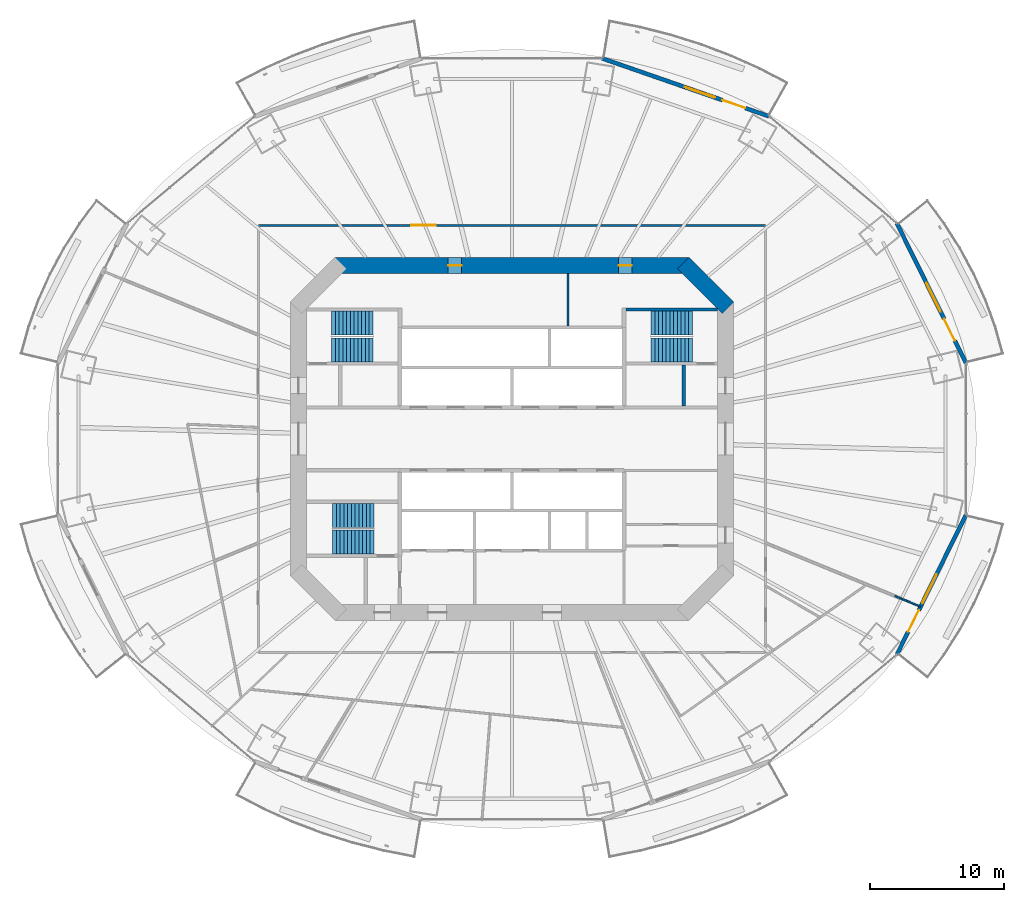
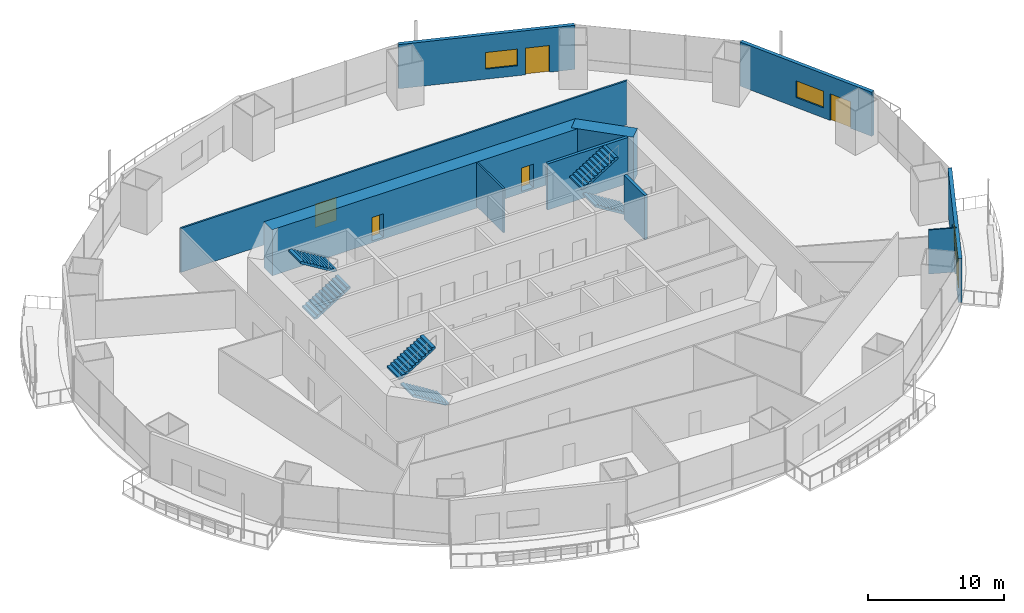
# One storey, part 16 of 22: 10 walls, 6 doors, 6 stair flights, 3 windows, 9 openings, 3 elements without a shape of their own.
"""IFC4 building model written with IfcOpenShell, lengths in metres."""

from ifc_helpers import new_model, si_unit, direction, frame, frame_2d, origin, place, context, subcontext, project, spatial, polyline, rectangle, outline, extrude, material, layer, layer_set, type_object, element, fill, aggregate, save


model = new_model("IFC4")

# Units and contexts
model_context = context("Model", 3, precision=1e-05, world=origin(), true_north=direction((0.0, 1.0)))
body_context = subcontext(model_context, "Body", "Model", "MODEL_VIEW")
ifc_project = project(units=[si_unit("LENGTHUNIT", "METRE"), si_unit("AREAUNIT", "SQUARE_METRE"), si_unit("VOLUMEUNIT", "CUBIC_METRE"), si_unit("PLANEANGLEUNIT", "RADIAN"), si_unit("MASSUNIT", "GRAM", prefix="KILO")], contexts=[model_context])

# Site, building, storey
site_placement = place(None, origin())
site = spatial("IfcSite", under=ifc_project, at=site_placement, CompositionType="ELEMENT")
building_placement = place(site_placement, origin())
building = spatial("IfcBuilding", under=site, at=building_placement, Name="Marenthal Gate Tower", CompositionType="ELEMENT")
storey_placement = place(building_placement, frame((0.0, 0.0, 103.550048828125)))
storey = spatial("IfcBuildingStorey", under=building, at=storey_placement, Name="L21", CompositionType="ELEMENT", Elevation=103.550048828125)

# Wall
ifc_material_1 = material(Name="Concrete 60 MPa", Category="concrete")
ifc_layer_1 = layer(ifc_material_1, 1.199951171875)
ifc_layer_set_1 = layer_set([ifc_layer_1], Name="Core shear wall 1200")
wall_type_1 = type_object("IfcWallType", Name="Core shear wall 1200", PredefinedType="SHEAR", material=ifc_layer_set_1)
wall_1_placement = place(storey_placement, frame((16.17578125, 9.82421875, -0.179931640625), z_axis=(0.0, 0.0, 1.0), x_axis=(-0.707106781187, 0.707106781187, 0.0)))
element("IfcWall", 1, at=wall_1_placement, inside=storey, type_object=wall_type_1, Name="Core wall 03", PredefinedType="SHEAR", context=body_context, shape_type="SweptSolid", body=[
    extrude(rectangle(XDim=4.73974609375, YDim=1.199951171875, at=frame_2d((2.369873046875, 0.0))), origin(), (0.0, 0.0, 1.0), 4.14990234375),
])

# Wall, openings, doors
wall_2_placement = place(storey_placement, frame((13.24853515625, 13.0, -0.179931640625), z_axis=(0.0, 0.0, 1.0), x_axis=(-1.0, 0.0, 0.0)))
wall_2 = element("IfcWall", 2, at=wall_2_placement, inside=storey, type_object=wall_type_1, Name="Core wall 04", PredefinedType="SHEAR", context=body_context, shape_type="SweptSolid", body=[
    extrude(rectangle(XDim=26.4970703125, YDim=1.199951171875, at=frame_2d((13.24853515625, 0.0))), origin(), (0.0, 0.0, 1.0), 4.14990234375),
])
opening_1_placement = place(wall_2_placement, frame((17.0244140625, 0.0, 0.179931640625)))
opening_1 = element("IfcOpeningElement", 3, at=opening_1_placement, cuts=wall_2, Name="Opening D005.01", PredefinedType="OPENING", context=body_context, shape_type="SweptSolid", body=[
    extrude(rectangle(XDim=1.0, YDim=2.10009765625, at=frame_2d((0.5, 1.050048828125))), frame((0.0, 0.60986328125, 0.0), z_axis=(0.0, -1.0, 0.0), x_axis=(1.0, 0.0, 0.0)), (0.0, 0.0, 1.0), 1.219970703125),
])
opening_2_placement = place(wall_2_placement, frame((4.2724609375, 0.0, 0.179931640625)))
opening_2 = element("IfcOpeningElement", 4, at=opening_2_placement, cuts=wall_2, Name="Opening D005.02", PredefinedType="OPENING", context=body_context, shape_type="SweptSolid", body=[
    extrude(rectangle(XDim=1.0, YDim=2.10009765625, at=frame_2d((0.5, 1.050048828125))), frame((0.0, 0.60986328125, 0.0), z_axis=(0.0, -1.0, 0.0), x_axis=(1.0, 0.0, 0.0)), (0.0, 0.0, 1.0), 1.219970703125),
])
ifc_material_2 = material(Name="Steel fire door", Category="steel")
door_type_1 = type_object("IfcDoorType", Name="Fire door FD 45 1000 x 2100", OperationType="NOTDEFINED", PredefinedType="DOOR", material=ifc_material_2)
door_1_placement = place(opening_1_placement, origin())
door_1 = element("IfcDoor", 5, at=door_1_placement, inside=storey, type_object=door_type_1, Name="Door D005.01", OperationType="SINGLE_SWING_RIGHT", OverallHeight=2.10009765625, OverallWidth=1.0, PredefinedType="DOOR", context=body_context, shape_type="SweptSolid", body=[
    extrude(rectangle(XDim=1.0, YDim=2.10009765625, at=frame_2d((0.5, 1.050048828125))), frame((0.0, 0.02490234375, 0.0), z_axis=(0.0, -1.0, 0.0), x_axis=(1.0, 0.0, 0.0)), (0.0, 0.0, 1.0), 0.050048828125),
])
fill(opening_1, door_1)
door_2_placement = place(opening_2_placement, origin())
door_2 = element("IfcDoor", 6, at=door_2_placement, inside=storey, type_object=door_type_1, Name="Door D005.02", OperationType="SINGLE_SWING_RIGHT", OverallHeight=2.10009765625, OverallWidth=1.0, PredefinedType="DOOR", context=body_context, shape_type="SweptSolid", body=[
    extrude(rectangle(XDim=1.0, YDim=2.10009765625, at=frame_2d((0.5, 1.050048828125))), frame((0.0, 0.02490234375, 0.0), z_axis=(0.0, -1.0, 0.0), x_axis=(1.0, 0.0, 0.0)), (0.0, 0.0, 1.0), 0.050048828125),
])
fill(opening_2, door_2)

# Walls
ifc_material_3 = material(Name="Gypsum board on steel studs", Category="steel")
ifc_layer_2 = layer(ifc_material_3, 0.1201171875)
ifc_layer_set_2 = layer_set([ifc_layer_2], Name="Partition 120")
wall_type_2 = type_object("IfcWallType", Name="Partition 120", PredefinedType="PARTITIONING", material=ifc_layer_set_2)
wall_3_placement = place(storey_placement, frame((28.670166015625, -11.76416015625, 0.0), z_axis=(0.0, 0.0, 1.0), x_axis=(0.925143297368, -0.379618070349, 0.0)))
element("IfcWall", 7, at=wall_3_placement, inside=storey, type_object=wall_type_2, Name="Partition wall 67", PredefinedType="PARTITIONING", context=body_context, shape_type="SweptSolid", body=[
    extrude(rectangle(XDim=2.083740234375, YDim=0.1201171875, at=frame_2d((1.0419921875, 0.0))), origin(), (0.0, 0.0, 1.0), 3.969970703125),
])
ifc_material_4 = material(Name="Gypsum board on steel studs", Category="steel")
ifc_layer_3 = layer(ifc_material_4, 0.14990234375)
ifc_layer_set_3 = layer_set([ifc_layer_3], Name="Partition 150")
wall_type_3 = type_object("IfcWallType", Name="Partition 150", PredefinedType="PARTITIONING", material=ifc_layer_set_3)
wall_4_placement = place(storey_placement, frame((4.199951171875, 8.4599609375, 0.0), z_axis=(0.0, 0.0, 1.0), x_axis=(0.0, 1.0, 0.0)))
element("IfcWall", 8, at=wall_4_placement, inside=storey, type_object=wall_type_3, Name="Partition wall 40", PredefinedType="PARTITIONING", context=body_context, shape_type="SweptSolid", body=[
    extrude(rectangle(XDim=3.93994140625, YDim=0.14990234375, at=frame_2d((1.969970703125, 0.0))), origin(), (0.0, 0.0, 1.0), 3.969970703125),
])

# Wall, opening, door
wall_5_placement = place(storey_placement, frame((-19.0, 16.0, 0.0), z_axis=(0.0, 0.0, 1.0), x_axis=(1.0, 0.0, 0.0)))
wall_5 = element("IfcWall", 9, at=wall_5_placement, inside=storey, type_object=wall_type_3, Name="Partition wall 53", PredefinedType="PARTITIONING", context=body_context, shape_type="SweptSolid", body=[
    extrude(rectangle(XDim=38.0, YDim=0.14990234375, at=frame_2d((19.0, 0.0))), origin(), (0.0, 0.0, 1.0), 3.969970703125),
])
opening_3_placement = place(wall_5_placement, frame((11.472900390625, 0.0, 0.0)))
opening_3 = element("IfcOpeningElement", 10, at=opening_3_placement, cuts=wall_5, Name="Opening D014.01", PredefinedType="OPENING", context=body_context, shape_type="SweptSolid", body=[
    extrude(rectangle(XDim=1.800048828125, YDim=2.10009765625, at=frame_2d((0.89990234375, 1.050048828125))), frame((0.0, 0.0849609375, 0.0), z_axis=(0.0, -1.0, 0.0), x_axis=(1.0, 0.0, 0.0)), (0.0, 0.0, 1.0), 0.169921875),
])
ifc_material_5 = material(Name="Timber door", Category="wood")
door_type_2 = type_object("IfcDoorType", Name="Double door 1800 x 2100", OperationType="DOUBLE_DOOR_SINGLE_SWING", PredefinedType="DOOR", material=ifc_material_5)
door_3_placement = place(opening_3_placement, origin())
door_3 = element("IfcDoor", 11, at=door_3_placement, inside=storey, type_object=door_type_2, Name="Door D014.01", OperationType="DOUBLE_DOOR_SINGLE_SWING", OverallHeight=2.10009765625, OverallWidth=1.800048828125, PredefinedType="DOOR", context=body_context, shape_type="SweptSolid", body=[
    extrude(rectangle(XDim=1.800048828125, YDim=2.10009765625, at=frame_2d((0.89990234375, 1.050048828125))), frame((0.0, 0.02490234375, 0.0), z_axis=(0.0, -1.0, 0.0), x_axis=(1.0, 0.0, 0.0)), (0.0, 0.0, 1.0), 0.050048828125),
])
fill(opening_3, door_3)

# Walls
ifc_material_6 = material(Name="Concrete 40 MPa", Category="concrete")
ifc_layer_4 = layer(ifc_material_6, 0.25)
ifc_layer_set_4 = layer_set([ifc_layer_4], Name="Stair enclosure wall 250")
wall_type_4 = type_object("IfcWallType", Name="Stair enclosure wall 250", PredefinedType="STANDARD", material=ifc_layer_set_4)
wall_6_placement = place(storey_placement, frame((12.85009765625, 2.47509765625, 0.0), z_axis=(0.0, 0.0, 1.0), x_axis=(0.0, 1.0, 0.0)))
element("IfcWall", 12, at=wall_6_placement, inside=storey, type_object=wall_type_4, Name="Stair wall 46", PredefinedType="STANDARD", context=body_context, shape_type="SweptSolid", body=[
    extrude(rectangle(XDim=3.0498046875, YDim=0.25, at=frame_2d((1.52490234375, 0.0))), origin(), (0.0, 0.0, 1.0), 3.969970703125),
])
ifc_material_7 = material(Name="Concrete 50 MPa", Category="concrete")
ifc_layer_5 = layer(ifc_material_7, 0.25)
ifc_layer_set_5 = layer_set([ifc_layer_5], Name="Stair shear wall 250")
wall_type_5 = type_object("IfcWallType", Name="Stair shear wall 250", PredefinedType="SHEAR", material=ifc_layer_set_5)
wall_7_placement = place(storey_placement, frame((8.550048828125, 9.699951171875, -0.179931640625), z_axis=(0.0, 0.0, 1.0), x_axis=(1.0, 0.0, 0.0)))
element("IfcWall", 13, at=wall_7_placement, inside=storey, type_object=wall_type_5, Name="Stair wall 27", PredefinedType="SHEAR", context=body_context, shape_type="SweptSolid", body=[
    extrude(rectangle(XDim=6.849853515625, YDim=0.25, at=frame_2d((3.4248046875, 0.0))), origin(), (0.0, 0.0, 1.0), 4.14990234375),
])

# Wall, openings, door, window
ifc_material_8 = material(Name="Terracotta cladding on insulated concrete-block backing", Category="masonry")
ifc_layer_6 = layer(ifc_material_8, 0.300048828125)
ifc_layer_set_6 = layer_set([ifc_layer_6], Name="Terracotta facade wall 300")
wall_type_6 = type_object("IfcWallType", Name="Terracotta facade wall 300", PredefinedType="SOLIDWALL", material=ifc_layer_set_6)
wall_8_placement = place(storey_placement, frame((34.001953125, 5.66796875, 0.0), z_axis=(0.0, 0.0, 1.0), x_axis=(-0.4430961796, 0.896474079728, 0.0)))
wall_8 = element("IfcWall", 14, at=wall_8_placement, inside=storey, type_object=wall_type_6, Name="Terracotta facade wall L21 bay 1", PredefinedType="SOLIDWALL", context=body_context, shape_type="SweptSolid", body=[
    extrude(rectangle(XDim=11.6826171875, YDim=0.300048828125, at=frame_2d((5.84130859375, 0.0))), origin(), (0.0, 0.0, 1.0), 3.969970703125),
])
opening_4_placement = place(wall_8_placement, frame((1.89990234375, 0.0, 0.0)))
opening_4 = element("IfcOpeningElement", 15, at=opening_4_placement, cuts=wall_8, Name="Opening BD-L21-01", PredefinedType="OPENING", context=body_context, shape_type="SweptSolid", body=[
    extrude(rectangle(XDim=1.800048828125, YDim=2.39990234375, at=frame_2d((0.89990234375, 1.199951171875))), frame((0.0, 0.16015625, 0.0), z_axis=(0.0, -1.0, 0.0), x_axis=(1.0, 0.0, 0.0)), (0.0, 0.0, 1.0), 0.320068359375),
])
opening_5_placement = place(wall_8_placement, frame((4.300048828125, 0.0, 0.89990234375)))
opening_5 = element("IfcOpeningElement", 16, at=opening_5_placement, cuts=wall_8, Name="Opening WN1-L21-01", PredefinedType="OPENING", context=body_context, shape_type="SweptSolid", body=[
    extrude(rectangle(XDim=2.39990234375, YDim=1.5, at=frame_2d((1.199951171875, 0.75))), frame((0.0, 0.16015625, 0.0), z_axis=(0.0, -1.0, 0.0), x_axis=(1.0, 0.0, 0.0)), (0.0, 0.0, 1.0), 0.320068359375),
])
ifc_material_9 = material(Name="Aluminium and glass", Category="aluminium")
door_type_3 = type_object("IfcDoorType", Name="Balcony door 1800x2400", OperationType="DOUBLE_DOOR_SINGLE_SWING", PredefinedType="DOOR", material=ifc_material_9)
door_4_placement = place(opening_4_placement, origin())
door_4 = element("IfcDoor", 17, at=door_4_placement, inside=storey, type_object=door_type_3, Name="Balcony door L21 bay 1", OperationType="SINGLE_SWING_LEFT", OverallHeight=2.39990234375, OverallWidth=1.800048828125, PredefinedType="DOOR", context=body_context, shape_type="SweptSolid", body=[
    extrude(rectangle(XDim=1.800048828125, YDim=2.39990234375, at=frame_2d((0.89990234375, 1.199951171875))), frame((0.0, 0.02490234375, 0.0), z_axis=(0.0, -1.0, 0.0), x_axis=(1.0, 0.0, 0.0)), (0.0, 0.0, 1.0), 0.050048828125),
])
fill(opening_4, door_4)
ifc_material_10 = material(Name="Aluminium and glass", Category="aluminium")
window_type = type_object("IfcWindowType", Name="Window 2400x1500", PartitioningType="TRIPLE_PANEL_VERTICAL", PredefinedType="WINDOW", material=ifc_material_10)
window_1_placement = place(opening_5_placement, origin())
window_1 = element("IfcWindow", 18, at=window_1_placement, inside=storey, type_object=window_type, Name="Window L21 bay 1", OverallHeight=1.5, OverallWidth=2.39990234375, PartitioningType="SINGLE_PANEL", PredefinedType="WINDOW", context=body_context, shape_type="SweptSolid", body=[
    extrude(rectangle(XDim=2.39990234375, YDim=1.5, at=frame_2d((1.199951171875, 0.75))), frame((0.0, 0.030029296875, 0.0), z_axis=(0.0, -1.0, 0.0), x_axis=(1.0, 0.0, 0.0)), (0.0, 0.0, 1.0), 0.06005859375),
])
fill(opening_5, window_1)

wall_9_placement = place(storey_placement, frame((19.260498046875, 24.15673828125, 0.0), z_axis=(0.0, 0.0, 1.0), x_axis=(-0.944700030718, 0.327935743647, 0.0)))
wall_9 = element("IfcWall", 19, at=wall_9_placement, inside=storey, type_object=wall_type_6, Name="Terracotta facade wall L21 bay 3", PredefinedType="SOLIDWALL", context=body_context, shape_type="SweptSolid", body=[
    extrude(rectangle(XDim=13.228515625, YDim=0.300048828125, at=frame_2d((6.6142578125, 0.0))), origin(), (0.0, 0.0, 1.0), 3.969970703125),
])
opening_6_placement = place(wall_9_placement, frame((1.89990234375, 0.0, 0.0)))
opening_6 = element("IfcOpeningElement", 20, at=opening_6_placement, cuts=wall_9, Name="Opening BD-L21-03", PredefinedType="OPENING", context=body_context, shape_type="SweptSolid", body=[
    extrude(rectangle(XDim=1.800048828125, YDim=2.39990234375, at=frame_2d((0.89990234375, 1.199951171875))), frame((0.0, 0.16015625, 0.0), z_axis=(0.0, -1.0, 0.0), x_axis=(1.0, 0.0, 0.0)), (0.0, 0.0, 1.0), 0.320068359375),
])
opening_7_placement = place(wall_9_placement, frame((4.300048828125, 0.0, 0.89990234375)))
opening_7 = element("IfcOpeningElement", 21, at=opening_7_placement, cuts=wall_9, Name="Opening WN1-L21-03", PredefinedType="OPENING", context=body_context, shape_type="SweptSolid", body=[
    extrude(rectangle(XDim=2.39990234375, YDim=1.5, at=frame_2d((1.199951171875, 0.75))), frame((0.0, 0.16015625, 0.0), z_axis=(0.0, -1.0, 0.0), x_axis=(1.0, 0.0, 0.0)), (0.0, 0.0, 1.0), 0.320068359375),
])
door_5_placement = place(opening_6_placement, origin())
door_5 = element("IfcDoor", 22, at=door_5_placement, inside=storey, type_object=door_type_3, Name="Balcony door L21 bay 3", OperationType="SINGLE_SWING_LEFT", OverallHeight=2.39990234375, OverallWidth=1.800048828125, PredefinedType="DOOR", context=body_context, shape_type="SweptSolid", body=[
    extrude(rectangle(XDim=1.800048828125, YDim=2.39990234375, at=frame_2d((0.89990234375, 1.199951171875))), frame((0.0, 0.02490234375, 0.0), z_axis=(0.0, -1.0, 0.0), x_axis=(1.0, 0.0, 0.0)), (0.0, 0.0, 1.0), 0.050048828125),
])
fill(opening_6, door_5)
window_2_placement = place(opening_7_placement, origin())
window_2 = element("IfcWindow", 23, at=window_2_placement, inside=storey, type_object=window_type, Name="Window L21 bay 3", OverallHeight=1.5, OverallWidth=2.39990234375, PartitioningType="SINGLE_PANEL", PredefinedType="WINDOW", context=body_context, shape_type="SweptSolid", body=[
    extrude(rectangle(XDim=2.39990234375, YDim=1.5, at=frame_2d((1.199951171875, 0.75))), frame((0.0, 0.030029296875, 0.0), z_axis=(0.0, -1.0, 0.0), x_axis=(1.0, 0.0, 0.0)), (0.0, 0.0, 1.0), 0.06005859375),
])
fill(opening_7, window_2)

wall_10_placement = place(storey_placement, frame((28.825439453125, -16.14111328125, 0.0), z_axis=(0.0, 0.0, 1.0), x_axis=(0.4430961796, 0.896474079728, 0.0)))
wall_10 = element("IfcWall", 24, at=wall_10_placement, inside=storey, type_object=wall_type_6, Name="Terracotta facade wall L21 bay 15", PredefinedType="SOLIDWALL", context=body_context, shape_type="SweptSolid", body=[
    extrude(rectangle(XDim=11.6826171875, YDim=0.300048828125, at=frame_2d((5.84130859375, 0.0))), origin(), (0.0, 0.0, 1.0), 3.969970703125),
])
opening_8_placement = place(wall_10_placement, frame((1.89990234375, 0.0, 0.0)))
opening_8 = element("IfcOpeningElement", 25, at=opening_8_placement, cuts=wall_10, Name="Opening BD-L21-15", PredefinedType="OPENING", context=body_context, shape_type="SweptSolid", body=[
    extrude(rectangle(XDim=1.800048828125, YDim=2.39990234375, at=frame_2d((0.89990234375, 1.199951171875))), frame((0.0, 0.16015625, 0.0), z_axis=(0.0, -1.0, 0.0), x_axis=(1.0, 0.0, 0.0)), (0.0, 0.0, 1.0), 0.320068359375),
])
opening_9_placement = place(wall_10_placement, frame((4.300048828125, 0.0, 0.89990234375)))
opening_9 = element("IfcOpeningElement", 26, at=opening_9_placement, cuts=wall_10, Name="Opening WN1-L21-15", PredefinedType="OPENING", context=body_context, shape_type="SweptSolid", body=[
    extrude(rectangle(XDim=2.39990234375, YDim=1.5, at=frame_2d((1.199951171875, 0.75))), frame((0.0, 0.16015625, 0.0), z_axis=(0.0, -1.0, 0.0), x_axis=(1.0, 0.0, 0.0)), (0.0, 0.0, 1.0), 0.320068359375),
])
door_6_placement = place(opening_8_placement, origin())
door_6 = element("IfcDoor", 27, at=door_6_placement, inside=storey, type_object=door_type_3, Name="Balcony door L21 bay 15", OperationType="SINGLE_SWING_LEFT", OverallHeight=2.39990234375, OverallWidth=1.800048828125, PredefinedType="DOOR", context=body_context, shape_type="SweptSolid", body=[
    extrude(rectangle(XDim=1.800048828125, YDim=2.39990234375, at=frame_2d((0.89990234375, 1.199951171875))), frame((0.0, 0.02490234375, 0.0), z_axis=(0.0, -1.0, 0.0), x_axis=(1.0, 0.0, 0.0)), (0.0, 0.0, 1.0), 0.050048828125),
])
fill(opening_8, door_6)
window_3_placement = place(opening_9_placement, origin())
window_3 = element("IfcWindow", 28, at=window_3_placement, inside=storey, type_object=window_type, Name="Window L21 bay 15", OverallHeight=1.5, OverallWidth=2.39990234375, PartitioningType="SINGLE_PANEL", PredefinedType="WINDOW", context=body_context, shape_type="SweptSolid", body=[
    extrude(rectangle(XDim=2.39990234375, YDim=1.5, at=frame_2d((1.199951171875, 0.75))), frame((0.0, 0.030029296875, 0.0), z_axis=(0.0, -1.0, 0.0), x_axis=(1.0, 0.0, 0.0)), (0.0, 0.0, 1.0), 0.06005859375),
])
fill(opening_9, window_3)

# Stair, stair flights
ifc_material_11 = material(Name="Concrete 40 MPa", Category="concrete")
stair_type = type_object("IfcStairType", Name="Exit stair 1800", PredefinedType="HALF_TURN_STAIR", material=ifc_material_11)
stair_1_placement = place(storey_placement, origin())
stair_1 = element("IfcStair", 29, at=stair_1_placement, inside=storey, type_object=stair_type, Name="Stair ST1", PredefinedType="HALF_TURN_STAIR")
ifc_material_12 = material(Name="Concrete 40 MPa", Category="concrete")
stair_flight_type = type_object("IfcStairFlightType", Name="Stair flight 1800", PredefinedType="STRAIGHT", material=ifc_material_12)
stair_flight_1_placement = place(storey_placement, frame((-13.5, 6.675048828125, 0.0), z_axis=(0.0, 0.0, 1.0), x_axis=(1.0, 0.0, 0.0)))
stair_flight_1 = element("IfcStairFlight", 30, at=stair_flight_1_placement, type_object=stair_flight_type, Name="ST1 flight 1", NumberOfRisers=12, NumberOfTreads=11, PredefinedType="STRAIGHT", RiserHeight=0.172916667, TreadLength=0.28, context=body_context, shape_type="SweptSolid", body=[
    extrude(outline(polyline([(0.0, 0.0), (0.0, 0.1728515625), (0.280029296875, 0.1728515625), (0.280029296875, 0.345947265625), (0.56005859375, 0.345947265625), (0.56005859375, 0.518798828125), (0.840087890625, 0.518798828125), (0.840087890625, 0.691650390625), (1.1201171875, 0.691650390625), (1.1201171875, 0.864501953125), (1.39990234375, 0.864501953125), (1.39990234375, 1.03759765625), (1.679931640625, 1.03759765625), (1.679931640625, 1.21044921875), (1.9599609375, 1.21044921875), (1.9599609375, 1.38330078125), (2.239990234375, 1.38330078125), (2.239990234375, 1.55615234375), (2.52001953125, 1.55615234375), (2.52001953125, 1.729248046875), (2.800048828125, 1.729248046875), (2.800048828125, 1.902099609375), (3.080078125, 1.902099609375), (3.080078125, 2.074951171875), (3.080078125, 1.725830078125), (0.285400390625, 0.0), (0.0, 0.0)])), frame((0.0, 0.89990234375, 0.0), z_axis=(0.0, -1.0, 0.0), x_axis=(1.0, 0.0, 0.0)), (0.0, 0.0, 1.0), 1.800048828125),
])
stair_flight_2_placement = place(storey_placement, frame((-10.419921875, 8.675048828125, 2.074951171875), z_axis=(0.0, 0.0, 1.0), x_axis=(-1.0, 0.0, 0.0)))
stair_flight_2 = element("IfcStairFlight", 31, at=stair_flight_2_placement, type_object=stair_flight_type, Name="ST1 flight 2", NumberOfRisers=12, NumberOfTreads=11, PredefinedType="STRAIGHT", RiserHeight=0.172916667, TreadLength=0.28, context=body_context, shape_type="SweptSolid", body=[
    extrude(outline(polyline([(0.0, 0.0), (0.0, 0.1728515625), (0.280029296875, 0.1728515625), (0.280029296875, 0.345947265625), (0.56005859375, 0.345947265625), (0.56005859375, 0.518798828125), (0.840087890625, 0.518798828125), (0.840087890625, 0.691650390625), (1.1201171875, 0.691650390625), (1.1201171875, 0.864501953125), (1.39990234375, 0.864501953125), (1.39990234375, 1.03759765625), (1.679931640625, 1.03759765625), (1.679931640625, 1.21044921875), (1.9599609375, 1.21044921875), (1.9599609375, 1.38330078125), (2.239990234375, 1.38330078125), (2.239990234375, 1.55615234375), (2.52001953125, 1.55615234375), (2.52001953125, 1.729248046875), (2.800048828125, 1.729248046875), (2.800048828125, 1.902099609375), (3.080078125, 1.902099609375), (3.080078125, 2.074951171875), (3.080078125, 1.725830078125), (0.285400390625, 0.0), (0.0, 0.0)])), frame((0.0, 0.89990234375, 0.0), z_axis=(0.0, -1.0, 0.0), x_axis=(1.0, 0.0, 0.0)), (0.0, 0.0, 1.0), 1.800048828125),
])
aggregate(stair_1, [stair_flight_1, stair_flight_2])

stair_2_placement = place(storey_placement, origin())
stair_2 = element("IfcStair", 32, at=stair_2_placement, inside=storey, type_object=stair_type, Name="Stair ST2", PredefinedType="HALF_TURN_STAIR")
stair_flight_3_placement = place(storey_placement, frame((-10.35009765625, -7.72509765625, 0.0), z_axis=(0.0, 0.0, 1.0), x_axis=(-1.0, 0.0, 0.0)))
stair_flight_3 = element("IfcStairFlight", 33, at=stair_flight_3_placement, type_object=stair_flight_type, Name="ST2 flight 1", NumberOfRisers=12, NumberOfTreads=11, PredefinedType="STRAIGHT", RiserHeight=0.172916667, TreadLength=0.28, context=body_context, shape_type="SweptSolid", body=[
    extrude(outline(polyline([(0.0, 0.0), (0.0, 0.1728515625), (0.280029296875, 0.1728515625), (0.280029296875, 0.345947265625), (0.56005859375, 0.345947265625), (0.56005859375, 0.518798828125), (0.840087890625, 0.518798828125), (0.840087890625, 0.691650390625), (1.1201171875, 0.691650390625), (1.1201171875, 0.864501953125), (1.39990234375, 0.864501953125), (1.39990234375, 1.03759765625), (1.679931640625, 1.03759765625), (1.679931640625, 1.21044921875), (1.9599609375, 1.21044921875), (1.9599609375, 1.38330078125), (2.239990234375, 1.38330078125), (2.239990234375, 1.55615234375), (2.52001953125, 1.55615234375), (2.52001953125, 1.729248046875), (2.800048828125, 1.729248046875), (2.800048828125, 1.902099609375), (3.080078125, 1.902099609375), (3.080078125, 2.074951171875), (3.080078125, 1.725830078125), (0.285400390625, 0.0), (0.0, 0.0)])), frame((0.0, 0.89990234375, 0.0), z_axis=(0.0, -1.0, 0.0), x_axis=(1.0, 0.0, 0.0)), (0.0, 0.0, 1.0), 1.800048828125),
])
stair_flight_4_placement = place(storey_placement, frame((-13.429931640625, -5.72509765625, 2.074951171875), z_axis=(0.0, 0.0, 1.0), x_axis=(1.0, 0.0, 0.0)))
stair_flight_4 = element("IfcStairFlight", 34, at=stair_flight_4_placement, type_object=stair_flight_type, Name="ST2 flight 2", NumberOfRisers=12, NumberOfTreads=11, PredefinedType="STRAIGHT", RiserHeight=0.172916667, TreadLength=0.28, context=body_context, shape_type="SweptSolid", body=[
    extrude(outline(polyline([(0.0, 0.0), (0.0, 0.1728515625), (0.280029296875, 0.1728515625), (0.280029296875, 0.345947265625), (0.56005859375, 0.345947265625), (0.56005859375, 0.518798828125), (0.840087890625, 0.518798828125), (0.840087890625, 0.691650390625), (1.1201171875, 0.691650390625), (1.1201171875, 0.864501953125), (1.39990234375, 0.864501953125), (1.39990234375, 1.03759765625), (1.679931640625, 1.03759765625), (1.679931640625, 1.21044921875), (1.9599609375, 1.21044921875), (1.9599609375, 1.38330078125), (2.239990234375, 1.38330078125), (2.239990234375, 1.55615234375), (2.52001953125, 1.55615234375), (2.52001953125, 1.729248046875), (2.800048828125, 1.729248046875), (2.800048828125, 1.902099609375), (3.080078125, 1.902099609375), (3.080078125, 2.074951171875), (3.080078125, 1.725830078125), (0.285400390625, 0.0), (0.0, 0.0)])), frame((0.0, 0.89990234375, 0.0), z_axis=(0.0, -1.0, 0.0), x_axis=(1.0, 0.0, 0.0)), (0.0, 0.0, 1.0), 1.800048828125),
])
aggregate(stair_2, [stair_flight_3, stair_flight_4])

stair_3_placement = place(storey_placement, origin())
stair_3 = element("IfcStair", 35, at=stair_3_placement, inside=storey, type_object=stair_type, Name="Stair ST3", PredefinedType="HALF_TURN_STAIR")
stair_flight_5_placement = place(storey_placement, frame((13.5, 6.675048828125, 0.0), z_axis=(0.0, 0.0, 1.0), x_axis=(-1.0, 0.0, 0.0)))
stair_flight_5 = element("IfcStairFlight", 36, at=stair_flight_5_placement, type_object=stair_flight_type, Name="ST3 flight 1", NumberOfRisers=12, NumberOfTreads=11, PredefinedType="STRAIGHT", RiserHeight=0.172916667, TreadLength=0.28, context=body_context, shape_type="SweptSolid", body=[
    extrude(outline(polyline([(0.0, 0.0), (0.0, 0.1728515625), (0.280029296875, 0.1728515625), (0.280029296875, 0.345947265625), (0.56005859375, 0.345947265625), (0.56005859375, 0.518798828125), (0.840087890625, 0.518798828125), (0.840087890625, 0.691650390625), (1.1201171875, 0.691650390625), (1.1201171875, 0.864501953125), (1.39990234375, 0.864501953125), (1.39990234375, 1.03759765625), (1.679931640625, 1.03759765625), (1.679931640625, 1.21044921875), (1.9599609375, 1.21044921875), (1.9599609375, 1.38330078125), (2.239990234375, 1.38330078125), (2.239990234375, 1.55615234375), (2.52001953125, 1.55615234375), (2.52001953125, 1.729248046875), (2.800048828125, 1.729248046875), (2.800048828125, 1.902099609375), (3.080078125, 1.902099609375), (3.080078125, 2.074951171875), (3.080078125, 1.725830078125), (0.285400390625, 0.0), (0.0, 0.0)])), frame((0.0, 0.89990234375, 0.0), z_axis=(0.0, -1.0, 0.0), x_axis=(1.0, 0.0, 0.0)), (0.0, 0.0, 1.0), 1.800048828125),
])
stair_flight_6_placement = place(storey_placement, frame((10.419921875, 8.675048828125, 2.074951171875), z_axis=(0.0, 0.0, 1.0), x_axis=(1.0, 0.0, 0.0)))
stair_flight_6 = element("IfcStairFlight", 37, at=stair_flight_6_placement, type_object=stair_flight_type, Name="ST3 flight 2", NumberOfRisers=12, NumberOfTreads=11, PredefinedType="STRAIGHT", RiserHeight=0.172916667, TreadLength=0.28, context=body_context, shape_type="SweptSolid", body=[
    extrude(outline(polyline([(0.0, 0.0), (0.0, 0.1728515625), (0.280029296875, 0.1728515625), (0.280029296875, 0.345947265625), (0.56005859375, 0.345947265625), (0.56005859375, 0.518798828125), (0.840087890625, 0.518798828125), (0.840087890625, 0.691650390625), (1.1201171875, 0.691650390625), (1.1201171875, 0.864501953125), (1.39990234375, 0.864501953125), (1.39990234375, 1.03759765625), (1.679931640625, 1.03759765625), (1.679931640625, 1.21044921875), (1.9599609375, 1.21044921875), (1.9599609375, 1.38330078125), (2.239990234375, 1.38330078125), (2.239990234375, 1.55615234375), (2.52001953125, 1.55615234375), (2.52001953125, 1.729248046875), (2.800048828125, 1.729248046875), (2.800048828125, 1.902099609375), (3.080078125, 1.902099609375), (3.080078125, 2.074951171875), (3.080078125, 1.725830078125), (0.285400390625, 0.0), (0.0, 0.0)])), frame((0.0, 0.89990234375, 0.0), z_axis=(0.0, -1.0, 0.0), x_axis=(1.0, 0.0, 0.0)), (0.0, 0.0, 1.0), 1.800048828125),
])
aggregate(stair_3, [stair_flight_5, stair_flight_6])

save(model, "model.ifc")
